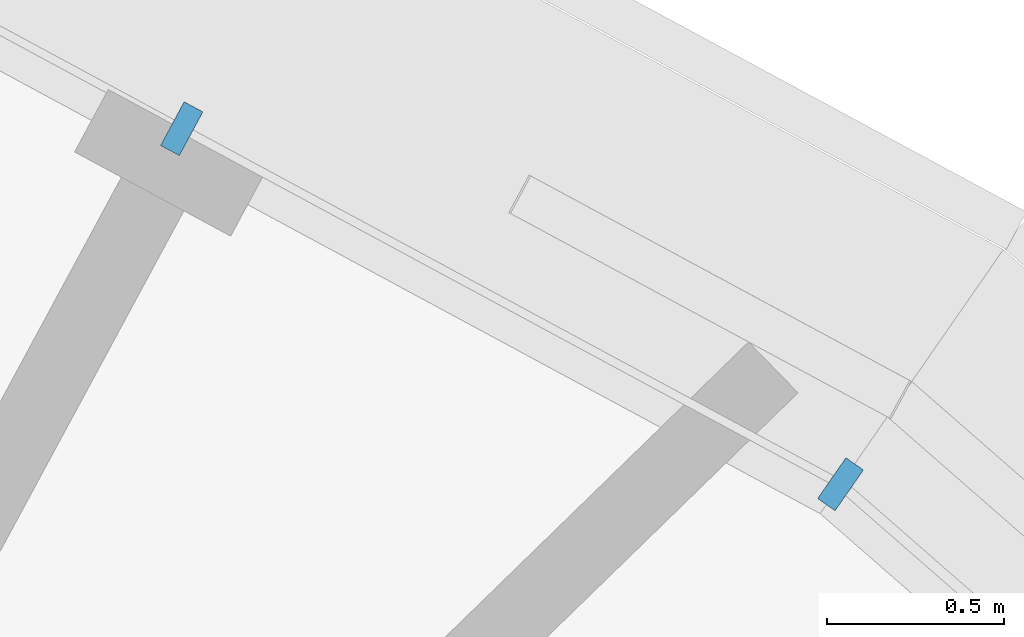
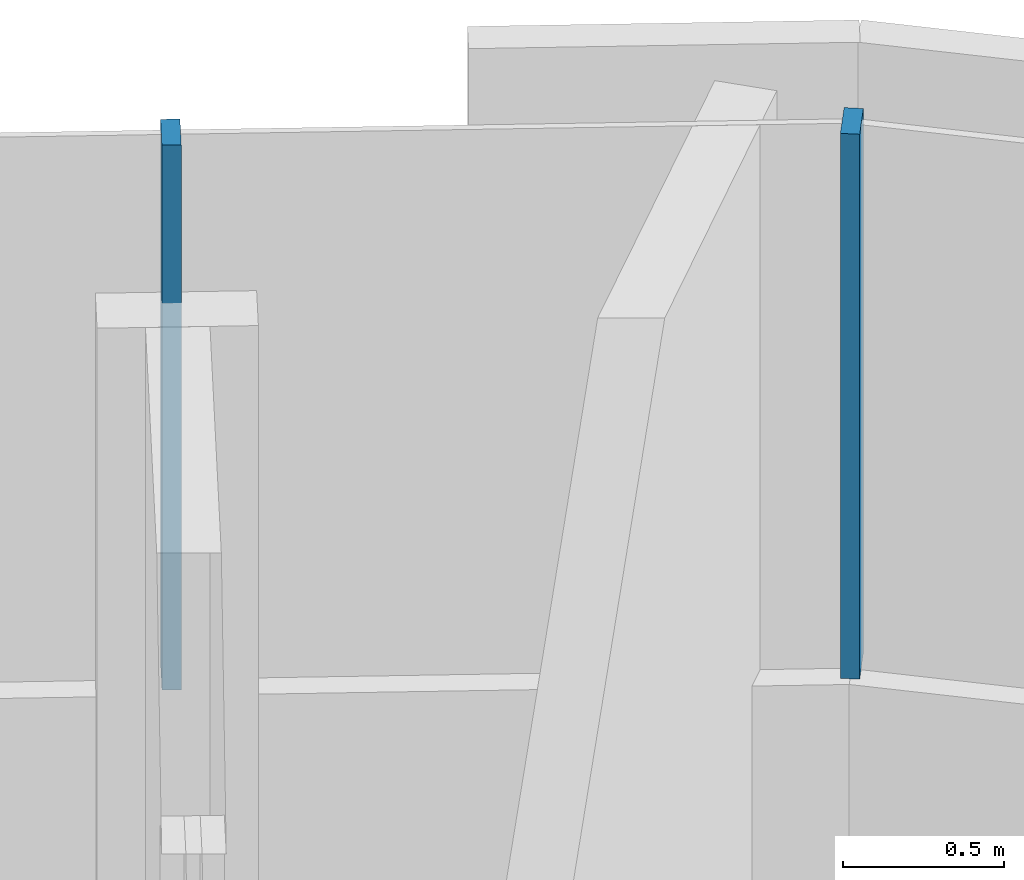
# One storey, part 11 of 22: 2 members, 1 element without a shape of its own.
"""IFC4 building model written with IfcOpenShell, lengths in metres."""

import ifcopenshell
import ifcopenshell.guid

model = None  # the IFC model being written
_history = None  # IfcOwnerHistory: only IFC2X3 demands one
_inside = {}  # id of a spatial element -> (the spatial element, [elements in it])
_under = {}  # id of a project, library or spatial element -> (it, [spatial elements below it])
_declared = {}  # id of a project -> (the project, [libraries it declares])
_typed = {}  # id of a type object -> (the type object, [elements of that type])
_made_of = {}  # id of a material, layer set ... -> (it, [elements and type objects made of it])


def new_model(schema):
    """Start an empty IFC model of exactly this schema.

    Asked for "IFC4X3", IfcOpenShell would pick the latest addendum, in which some entities
    have other attributes; the version numbers below select the first issue.
    IFC2X3 requires an IfcOwnerHistory on every rooted entity: one is made here for all.
    """
    global model, _history
    if schema == "IFC4X3":
        model = ifcopenshell.file(schema_version=(4, 3, 0, 0))
    else:
        model = ifcopenshell.file(schema=schema)
    _inside.clear()
    _under.clear()
    _declared.clear()
    _typed.clear()
    _made_of.clear()
    _history = None
    if model.schema == "IFC2X3":
        org = make("IfcOrganization", Name="unknown")
        user = make(
            "IfcPersonAndOrganization",
            ThePerson=make("IfcPerson", FamilyName="unknown"),
            TheOrganization=org,
        )
        app = make(
            "IfcApplication",
            ApplicationDeveloper=org,
            Version="unknown",
            ApplicationFullName="unknown",
            ApplicationIdentifier="unknown",
        )
        _history = make(
            "IfcOwnerHistory",
            OwningUser=user,
            OwningApplication=app,
            ChangeAction="ADDED",
            CreationDate=0,
        )
    return model


def make(cls, **values):
    """One entity of the class cls with the attributes given. An attribute that is None is left unset."""
    return model.create_entity(
        cls, **{name: value for name, value in values.items() if value is not None}
    )


def rooted(cls, **values):
    """An entity with a GlobalId (a new one), such as an element, a storey or a relation."""
    return make(cls, GlobalId=ifcopenshell.guid.new(), OwnerHistory=_history, **values)


def si_unit(unit_type, name, prefix=None):
    """IfcSIUnit, for example si_unit("LENGTHUNIT", "METRE", prefix="MILLI")."""
    return make("IfcSIUnit", UnitType=unit_type, Prefix=prefix, Name=name)


def assignment(units):
    """IfcUnitAssignment: the units of a project."""
    return None if units is None else make("IfcUnitAssignment", Units=units)


def point(xyz):
    """IfcCartesianPoint."""
    return None if xyz is None else make("IfcCartesianPoint", Coordinates=xyz)


def direction(xyz):
    """IfcDirection."""
    return None if xyz is None else make("IfcDirection", DirectionRatios=xyz)


def frame(location, z_axis=None, x_axis=None):
    """IfcAxis2Placement3D, a coordinate frame: its origin and axes. An axis left out is left unset."""
    return make(
        "IfcAxis2Placement3D",
        Location=point(location),
        Axis=direction(z_axis),
        RefDirection=direction(x_axis),
    )


def frame_2d(location, x_axis=None):
    """IfcAxis2Placement2D, a coordinate frame in the plane: its origin and x axis."""
    return make(
        "IfcAxis2Placement2D", Location=point(location), RefDirection=direction(x_axis)
    )


def origin():
    """The frame at (0, 0, 0) with its axes left unset."""
    return frame((0.0, 0.0, 0.0))


def origin_2d():
    """The frame at (0, 0) in the plane with its x axis left unset."""
    return frame_2d((0.0, 0.0))


def place(relative_to, where):
    """IfcLocalPlacement: puts the frame where relative to a parent placement (None: the world)."""
    return make(
        "IfcLocalPlacement", PlacementRelTo=relative_to, RelativePlacement=where
    )


def context(
    kind, dimensions, precision=None, world=None, true_north=None, identifier=None
):
    """IfcGeometricRepresentationContext, for example the 3D "Model" context."""
    return make(
        "IfcGeometricRepresentationContext",
        ContextIdentifier=identifier,
        ContextType=kind,
        CoordinateSpaceDimension=dimensions,
        Precision=precision,
        WorldCoordinateSystem=world,
        TrueNorth=true_north,
    )


def subcontext(parent, identifier, kind, view, scale=None):
    """IfcGeometricRepresentationSubContext, for example "Body" below "Model"."""
    return make(
        "IfcGeometricRepresentationSubContext",
        ContextIdentifier=identifier,
        ContextType=kind,
        ParentContext=parent,
        TargetScale=scale,
        TargetView=view,
    )


def project(units=None, contexts=None):
    """IfcProject with its units and contexts."""
    return rooted(
        "IfcProject",
        Name="project",
        RepresentationContexts=contexts,
        UnitsInContext=assignment(units),
    )


def spatial(cls, under=None, at=None, **own):
    """A site, building, storey or space (cls), placed at a placement, below another one or the project."""
    s = rooted(cls, ObjectPlacement=at, **own)
    if under is not None:
        _under.setdefault(under.id(), (under, []))[1].append(s)
    return s


def profile(cls, at=None, kind="AREA", **sizes):
    """A parametric profile (cls). Its sizes go by their IFC names, for example OverallWidth=200.0."""
    return make(cls, ProfileType=kind, Position=at, **sizes)


def rectangle(**sizes):
    """IfcRectangleProfileDef."""
    return profile("IfcRectangleProfileDef", **sizes)


def extrude(swept, where, along, depth):
    """IfcExtrudedAreaSolid: the profile swept, set in the frame where, extruded along a direction by depth."""
    return make(
        "IfcExtrudedAreaSolid",
        SweptArea=swept,
        Position=where,
        ExtrudedDirection=direction(along),
        Depth=depth,
    )


def shape(context_of_items, identifier, shape_type, items):
    """IfcShapeRepresentation: the items that make up one representation, for example the "Body"."""
    return make(
        "IfcShapeRepresentation",
        ContextOfItems=context_of_items,
        RepresentationIdentifier=identifier,
        RepresentationType=shape_type,
        Items=items,
    )


def material(Name=None, Category=None):
    """IfcMaterial."""
    return make("IfcMaterial", Name=Name, Category=Category)


def layer(
    of_material, thickness, ventilated=None, Name=None, Category=None, Priority=None
):
    """IfcMaterialLayer: one layer of a wall or slab, of a material (None: an air gap)."""
    return make(
        "IfcMaterialLayer",
        Material=of_material,
        LayerThickness=thickness,
        IsVentilated=ventilated,
        Name=Name,
        Category=Category,
        Priority=Priority,
    )


def layer_set(layers, Name=None):
    """IfcMaterialLayerSet."""
    return make("IfcMaterialLayerSet", MaterialLayers=layers, LayerSetName=Name)


def material_profile(
    of_material, cross_section, Name=None, Category=None, Priority=None
):
    """IfcMaterialProfile: a cross section and its material."""
    return make(
        "IfcMaterialProfile",
        Name=Name,
        Material=of_material,
        Profile=cross_section,
        Priority=Priority,
        Category=Category,
    )


def profile_set(profiles, Name=None, composite=None):
    """IfcMaterialProfileSet."""
    return make(
        "IfcMaterialProfileSet",
        Name=Name,
        MaterialProfiles=profiles,
        CompositeProfile=composite,
    )


def made_of(thing, what):
    """Note that an element or type object is made of a material, layer set ...; save() writes the relation."""
    if what is not None:
        _made_of.setdefault(what.id(), (what, []))[1].append(thing)
    return thing


def type_object(cls, material=None, **own):
    """A type object (cls), such as IfcWallType, which elements share."""
    return made_of(rooted(cls, **own), material)


def element(
    cls,
    number,
    at=None,
    inside=None,
    cuts=None,
    type_object=None,
    material=None,
    context=None,
    identifier="Body",
    shape_type=None,
    held_by="IfcProductDefinitionShape",
    body=None,
    shapes=None,
    **own,
):
    """One element of the class cls, such as IfcWall. Its Tag is "e" and its number.

    at: its placement. inside: the storey or other place that contains it. cuts: it is an
    opening in that element (IfcRelVoidsElement). A single representation is given by context,
    identifier, shape_type and body (its items); several are given by shapes. held_by: the class
    of the entity that holds the representations. save() writes the other relations.
    """
    e = rooted(cls, Tag="e%d" % number, ObjectPlacement=at, **own)
    if body is not None:
        shapes = [shape(context, identifier, shape_type, body)]
    if shapes is not None:
        e.Representation = make(held_by, Representations=shapes)
    if inside is not None:
        _inside.setdefault(inside.id(), (inside, []))[1].append(e)
    if cuts is not None:
        rooted(
            "IfcRelVoidsElement", RelatingBuildingElement=cuts, RelatedOpeningElement=e
        )
    if type_object is not None:
        _typed.setdefault(type_object.id(), (type_object, []))[1].append(e)
    return made_of(e, material)


def aggregate(whole, parts):
    """IfcRelAggregates: a whole, such as a stair, and the parts it consists of."""
    return rooted("IfcRelAggregates", RelatingObject=whole, RelatedObjects=parts)


def save(model, path):
    """Write the relations noted so far, then the file.

    IfcRelAggregates (storeys below a building ...), IfcRelContainedInSpatialStructure (elements
    in a storey), IfcRelDefinesByType, IfcRelAssociatesMaterial and IfcRelDeclares: one each for
    every whole, place, type object, material and project.
    """
    for whole, parts in _under.values():
        aggregate(whole, parts)
    for where, things in _inside.values():
        rooted(
            "IfcRelContainedInSpatialStructure",
            RelatedElements=things,
            RelatingStructure=where,
        )
    for kind, things in _typed.values():
        rooted("IfcRelDefinesByType", RelatedObjects=things, RelatingType=kind)
    for what, things in _made_of.values():
        rooted("IfcRelAssociatesMaterial", RelatedObjects=things, RelatingMaterial=what)
    for by, libraries in _declared.values():
        rooted("IfcRelDeclares", RelatingContext=by, RelatedDefinitions=libraries)
    model.write(path)


model = new_model("IFC4")

# Units and contexts
model_context = context("Model", 3, precision=1e-05, world=origin(), true_north=direction((0.0, 1.0)))
body_context = subcontext(model_context, "Body", "Model", "MODEL_VIEW")
ifc_project = project(units=[si_unit("LENGTHUNIT", "METRE"), si_unit("AREAUNIT", "SQUARE_METRE"), si_unit("VOLUMEUNIT", "CUBIC_METRE"), si_unit("PLANEANGLEUNIT", "RADIAN"), si_unit("MASSUNIT", "GRAM", prefix="KILO")], contexts=[model_context])

# Site, building, storey
site_placement = place(None, origin())
site = spatial("IfcSite", under=ifc_project, at=site_placement, CompositionType="ELEMENT")
building_placement = place(site_placement, origin())
building = spatial("IfcBuilding", under=site, at=building_placement, Name="Tamarind Cross Interchange Tower", CompositionType="ELEMENT")
storey_placement = place(building_placement, frame((0.0, 0.0, 256.800048828125)))
storey = spatial("IfcBuildingStorey", under=building, at=storey_placement, Name="L65", CompositionType="ELEMENT", Elevation=256.800048828125)

# Curtain wall, members
ifc_material = material(Name="Aluminium 6063-T6", Category="aluminium")
ifc_layer = layer(ifc_material, 0.139892578125)
ifc_layer_set = layer_set([ifc_layer], Name="Aluminium 6063-T6")
curtain_wall_type = type_object("IfcCurtainWallType", Name="Hotel curtain wall, 4.5 m bays", PredefinedType="NOTDEFINED", material=ifc_layer_set)
curtain_wall_placement = place(storey_placement, origin())
curtain_wall = element("IfcCurtainWall", 1, at=curtain_wall_placement, inside=storey, type_object=curtain_wall_type, Name="CWS-L65-02", PredefinedType="NOTDEFINED")
ifc_material_profile = material_profile(ifc_material, rectangle(XDim=0.06005859375, YDim=0.139892578125, at=origin_2d()), Name="Mullion CW2")
ifc_profile_set = profile_set([ifc_material_profile], Name="Aluminium 6063-T6")
member_type = type_object("IfcMemberType", Name="Mullion CW2", PredefinedType="MULLION", material=ifc_profile_set)
member_1_placement = place(storey_placement, frame((1.728759765625, 28.794189453125, 1.39990234375), z_axis=(0.0, 0.0, 1.0), x_axis=(-0.821674076725, 0.569957640214, 0.0)))
member_1 = element("IfcMember", 2, at=member_1_placement, type_object=member_type, Name="CWM-L65-02-00", PredefinedType="MULLION", context=body_context, shape_type="SweptSolid", body=[
    extrude(rectangle(XDim=0.06005859375, YDim=0.139892578125, at=origin_2d()), origin(), (0.0, 0.0, 1.0), 2.06005859375),
])
member_2_placement = place(storey_placement, frame((-0.127685546875, 29.796142578125, 1.39990234375), z_axis=(0.0, 0.0, 1.0), x_axis=(-0.880006935002, 0.474960834541, 0.0)))
member_2 = element("IfcMember", 3, at=member_2_placement, type_object=member_type, Name="CWM-L65-02-01", PredefinedType="MULLION", context=body_context, shape_type="SweptSolid", body=[
    extrude(rectangle(XDim=0.06005859375, YDim=0.139892578125, at=origin_2d()), origin(), (0.0, 0.0, 1.0), 2.06005859375),
])
aggregate(curtain_wall, [member_1, member_2])

save(model, "model.ifc")
